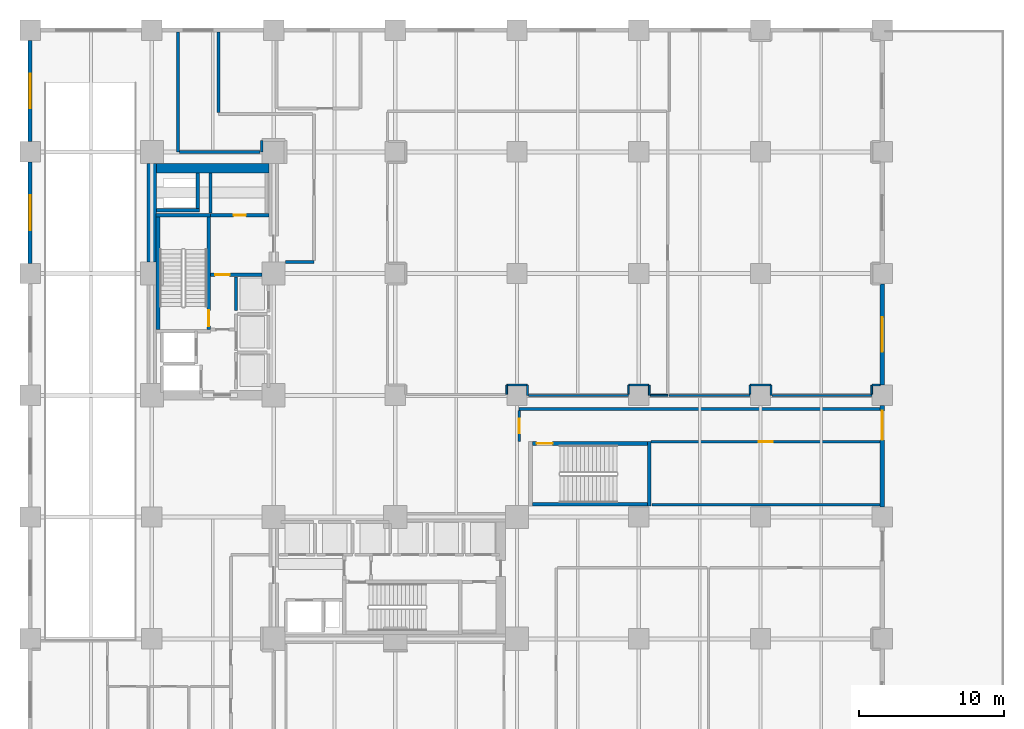
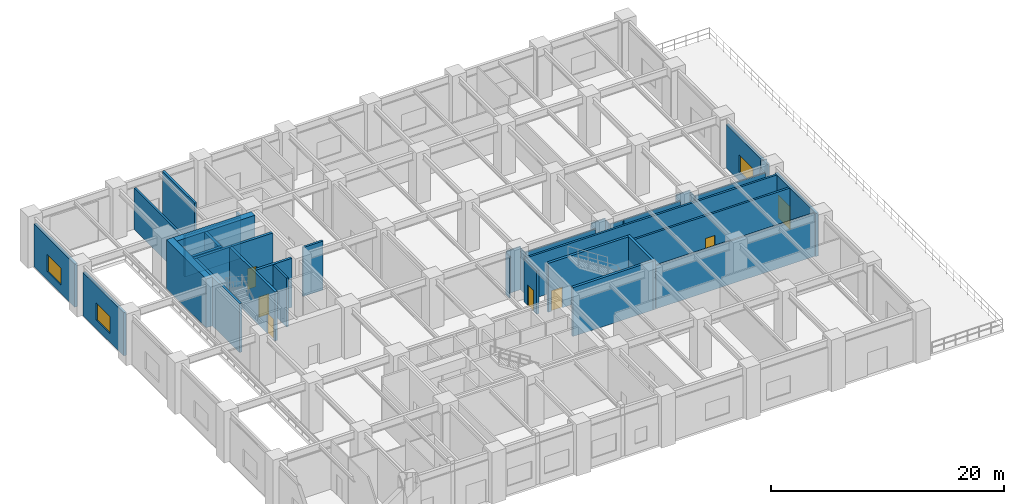
# One storey, part 6 of 13: 42 walls, 7 doors, 3 windows, 10 openings.
"""IFC4 building model written with IfcOpenShell, lengths in metres."""

from ifc_helpers import new_model, si_unit, direction, frame, frame_2d, origin, place, context, subcontext, project, spatial, rectangle, extrude, material, layer, layer_set, type_object, element, fill, save


model = new_model("IFC4")

# Units and contexts
model_context = context("Model", 3, precision=1e-05, world=origin(), true_north=direction((0.0, 1.0)))
body_context = subcontext(model_context, "Body", "Model", "MODEL_VIEW")
ifc_project = project(units=[si_unit("LENGTHUNIT", "METRE"), si_unit("AREAUNIT", "SQUARE_METRE"), si_unit("VOLUMEUNIT", "CUBIC_METRE"), si_unit("PLANEANGLEUNIT", "RADIAN"), si_unit("MASSUNIT", "GRAM", prefix="KILO")], contexts=[model_context])

# Site, building, storey
site_placement = place(None, origin())
site = spatial("IfcSite", under=ifc_project, at=site_placement, CompositionType="ELEMENT")
building_placement = place(site_placement, origin())
building = spatial("IfcBuilding", under=site, at=building_placement, Name="Nerrivon Quay Data Exchange", CompositionType="ELEMENT")
storey_placement = place(building_placement, origin())
storey = spatial("IfcBuildingStorey", under=building, at=storey_placement, Name="L00", CompositionType="ELEMENT", Elevation=0.0)

# Wall, opening, window
ifc_material_1 = material(Name="Precast concrete N50 (50 MPa)", Category="concrete")
ifc_layer_1 = layer(ifc_material_1, 0.280029296875)
ifc_layer_set_1 = layer_set([ifc_layer_1], Name="Precast concrete N50 (50 MPa)")
wall_type_1 = type_object("IfcWallType", Name="EW-PREC-280", PredefinedType="STANDARD", material=ifc_layer_set_1)
wall_1_placement = place(storey_placement, frame((0.0, 34.300048828125, 0.0), z_axis=(0.0, 0.0, 1.0), x_axis=(0.0, 1.0, 0.0)))
wall_1 = element("IfcWall", 1, at=wall_1_placement, inside=storey, type_object=wall_type_1, Name="L00 Podium Exterior Wall 5", PredefinedType="STANDARD", context=body_context, shape_type="SweptSolid", body=[
    extrude(rectangle(XDim=7.0, YDim=0.280029296875, at=frame_2d((3.5, 0.0))), origin(), (0.0, 0.0, 1.0), 4.512939453125),
])
opening_1_placement = place(wall_1_placement, frame((2.300048828125, 0.0, 0.89990234375)))
opening_1 = element("IfcOpeningElement", 2, at=opening_1_placement, cuts=wall_1, Name="Opening WN1", PredefinedType="OPENING", context=body_context, shape_type="SweptSolid", body=[
    extrude(rectangle(XDim=2.39990234375, YDim=1.800048828125, at=frame_2d((1.199951171875, 0.89990234375))), frame((0.0, 0.14990234375, 0.0), z_axis=(0.0, -1.0, 0.0), x_axis=(1.0, 0.0, 0.0)), (0.0, 0.0, 1.0), 0.300048828125),
])
ifc_material_2 = material(Name="Double-glazed low-E solar control glass", Category="glass")
window_type = type_object("IfcWindowType", Name="WIN-W1-2400x1800", PartitioningType="SINGLE_PANEL", PredefinedType="WINDOW", material=ifc_material_2)
window_1_placement = place(opening_1_placement, origin())
window_1 = element("IfcWindow", 3, at=window_1_placement, inside=storey, type_object=window_type, Name="L00 Podium Window 5", OverallHeight=1.800048828125, OverallWidth=2.39990234375, PartitioningType="SINGLE_PANEL", PredefinedType="WINDOW", context=body_context, shape_type="SweptSolid", body=[
    extrude(rectangle(XDim=2.39990234375, YDim=1.800048828125, at=frame_2d((1.199951171875, 0.89990234375))), frame((0.0, 0.030029296875, 0.0), z_axis=(0.0, -1.0, 0.0), x_axis=(1.0, 0.0, 0.0)), (0.0, 0.0, 1.0), 0.06005859375),
])
fill(opening_1, window_1)

wall_2_placement = place(storey_placement, frame((0.0, 42.699951171875, 0.0), z_axis=(0.0, 0.0, 1.0), x_axis=(0.0, 1.0, 0.0)))
wall_2 = element("IfcWall", 4, at=wall_2_placement, inside=storey, type_object=wall_type_1, Name="L00 Podium Exterior Wall 6", PredefinedType="STANDARD", context=body_context, shape_type="SweptSolid", body=[
    extrude(rectangle(XDim=7.0, YDim=0.280029296875, at=frame_2d((3.5, 0.0))), origin(), (0.0, 0.0, 1.0), 4.512939453125),
])
opening_2_placement = place(wall_2_placement, frame((2.300048828125, 0.0, 0.89990234375)))
opening_2 = element("IfcOpeningElement", 5, at=opening_2_placement, cuts=wall_2, Name="Opening WN1", PredefinedType="OPENING", context=body_context, shape_type="SweptSolid", body=[
    extrude(rectangle(XDim=2.39990234375, YDim=1.800048828125, at=frame_2d((1.199951171875, 0.89990234375))), frame((0.0, 0.14990234375, 0.0), z_axis=(0.0, -1.0, 0.0), x_axis=(1.0, 0.0, 0.0)), (0.0, 0.0, 1.0), 0.300048828125),
])
window_2_placement = place(opening_2_placement, origin())
window_2 = element("IfcWindow", 6, at=window_2_placement, inside=storey, type_object=window_type, Name="L00 Podium Window 6", OverallHeight=1.800048828125, OverallWidth=2.39990234375, PartitioningType="SINGLE_PANEL", PredefinedType="WINDOW", context=body_context, shape_type="SweptSolid", body=[
    extrude(rectangle(XDim=2.39990234375, YDim=1.800048828125, at=frame_2d((1.199951171875, 0.89990234375))), frame((0.0, 0.030029296875, 0.0), z_axis=(0.0, -1.0, 0.0), x_axis=(1.0, 0.0, 0.0)), (0.0, 0.0, 1.0), 0.06005859375),
])
fill(opening_2, window_2)

wall_3_placement = place(storey_placement, frame((58.800048828125, 32.89990234375, 0.0), z_axis=(0.0, 0.0, 1.0), x_axis=(0.0, -1.0, 0.0)))
wall_3 = element("IfcWall", 7, at=wall_3_placement, inside=storey, type_object=wall_type_1, Name="L00 Podium Exterior Wall 16", PredefinedType="STANDARD", context=body_context, shape_type="SweptSolid", body=[
    extrude(rectangle(XDim=7.0, YDim=0.280029296875, at=frame_2d((3.5, 0.0))), origin(), (0.0, 0.0, 1.0), 4.512939453125),
])
opening_3_placement = place(wall_3_placement, frame((2.300048828125, 0.0, 0.89990234375)))
opening_3 = element("IfcOpeningElement", 8, at=opening_3_placement, cuts=wall_3, Name="Opening WN1", PredefinedType="OPENING", context=body_context, shape_type="SweptSolid", body=[
    extrude(rectangle(XDim=2.39990234375, YDim=1.800048828125, at=frame_2d((1.199951171875, 0.89990234375))), frame((0.0, 0.14990234375, 0.0), z_axis=(0.0, -1.0, 0.0), x_axis=(1.0, 0.0, 0.0)), (0.0, 0.0, 1.0), 0.300048828125),
])
window_3_placement = place(opening_3_placement, origin())
window_3 = element("IfcWindow", 9, at=window_3_placement, inside=storey, type_object=window_type, Name="L00 Podium Window 16", OverallHeight=1.800048828125, OverallWidth=2.39990234375, PartitioningType="SINGLE_PANEL", PredefinedType="WINDOW", context=body_context, shape_type="SweptSolid", body=[
    extrude(rectangle(XDim=2.39990234375, YDim=1.800048828125, at=frame_2d((1.199951171875, 0.89990234375))), frame((0.0, 0.030029296875, 0.0), z_axis=(0.0, -1.0, 0.0), x_axis=(1.0, 0.0, 0.0)), (0.0, 0.0, 1.0), 0.06005859375),
])
fill(opening_3, window_3)

# Wall, opening, door
wall_4_placement = place(storey_placement, frame((58.800048828125, 24.5, 0.0), z_axis=(0.0, 0.0, 1.0), x_axis=(0.0, -1.0, 0.0)))
wall_4 = element("IfcWall", 10, at=wall_4_placement, inside=storey, type_object=wall_type_1, Name="L00 Podium Exterior Wall 17", PredefinedType="STANDARD", context=body_context, shape_type="SweptSolid", body=[
    extrude(rectangle(XDim=7.0, YDim=0.280029296875, at=frame_2d((3.5, 0.0))), origin(), (0.0, 0.0, 1.0), 4.512939453125),
])
opening_4_placement = place(wall_4_placement, frame((0.3798828125, 0.0, 0.0)))
opening_4 = element("IfcOpeningElement", 11, at=opening_4_placement, cuts=wall_4, Name="Opening ED1", PredefinedType="OPENING", context=body_context, shape_type="SweptSolid", body=[
    extrude(rectangle(XDim=2.0, YDim=2.39990234375, at=frame_2d((1.0, 1.199951171875))), frame((0.0, 0.14990234375, 0.0), z_axis=(0.0, -1.0, 0.0), x_axis=(1.0, 0.0, 0.0)), (0.0, 0.0, 1.0), 0.300048828125),
])
ifc_material_3 = material(Name="Anodised aluminium 6063-T6", Category="aluminium")
door_type_1 = type_object("IfcDoorType", Name="DR-EXT-2000x2400", OperationType="DOUBLE_DOOR_SINGLE_SWING", PredefinedType="DOOR", material=ifc_material_3)
door_1_placement = place(opening_4_placement, origin())
door_1 = element("IfcDoor", 12, at=door_1_placement, inside=storey, type_object=door_type_1, Name="Waterfront Promenade Fire-Isolated Exit Discharge Door", OperationType="DOUBLE_DOOR_SINGLE_SWING", OverallHeight=2.39990234375, OverallWidth=2.0, PredefinedType="DOOR", context=body_context, shape_type="SweptSolid", body=[
    extrude(rectangle(XDim=2.0, YDim=2.39990234375, at=frame_2d((1.0, 1.199951171875))), frame((0.0, 0.02490234375, 0.0), z_axis=(0.0, -1.0, 0.0), x_axis=(1.0, 0.0, 0.0)), (0.0, 0.0, 1.0), 0.050048828125),
])
fill(opening_4, door_1)

# Walls
ifc_material_4 = material(Name="Concrete N80 (80 MPa)", Category="concrete")
ifc_layer_2 = layer(ifc_material_4, 0.64990234375)
ifc_layer_set_2 = layer_set([ifc_layer_2], Name="Concrete N80 (80 MPa)")
wall_type_2 = type_object("IfcWallType", Name="WALL-CW-850", PredefinedType="SHEAR", material=ifc_layer_set_2)
wall_5_placement = place(storey_placement, frame((8.39990234375, 34.39990234375, 0.0), z_axis=(0.0, 0.0, 1.0), x_axis=(0.0, 1.0, 0.0)))
element("IfcWall", 13, at=wall_5_placement, inside=storey, type_object=wall_type_2, Name="L00 West Split-Core Shear Wall WCW-W2", PredefinedType="SHEAR", context=body_context, shape_type="SweptSolid", body=[
    extrude(rectangle(XDim=6.800048828125, YDim=0.64990234375, at=frame_2d((3.39990234375, 0.0))), origin(), (0.0, 0.0, 1.0), 5.125),
])
wall_6_placement = place(storey_placement, frame((8.72509765625, 40.875, 0.0), z_axis=(0.0, 0.0, 1.0), x_axis=(1.0, 0.0, 0.0)))
element("IfcWall", 14, at=wall_6_placement, inside=storey, type_object=wall_type_2, Name="L00 West Split-Core Shear Wall WCW-N1", PredefinedType="SHEAR", context=body_context, shape_type="SweptSolid", body=[
    extrude(rectangle(XDim=7.75, YDim=0.64990234375, at=frame_2d((3.875, 0.0))), origin(), (0.0, 0.0, 1.0), 5.125),
])
ifc_material_5 = material(Name="Gypsum plasterboard on cold-formed framing", Category="gypsum")
ifc_layer_3 = layer(ifc_material_5, 0.199951171875)
ifc_layer_set_3 = layer_set([ifc_layer_3], Name="Gypsum plasterboard on cold-formed framing")
wall_type_3 = type_object("IfcWallType", Name="WALL-FW-200", PredefinedType="PARTITIONING", material=ifc_layer_set_3)
wall_7_placement = place(storey_placement, frame((14.199951171875, 31.050048828125, 0.0), z_axis=(0.0, 0.0, 1.0), x_axis=(0.0, 1.0, 0.0)))
element("IfcWall", 15, at=wall_7_placement, inside=storey, type_object=wall_type_3, Name="L00 Lift Shaft Wall PL3 WEST", PredefinedType="PARTITIONING", context=body_context, shape_type="SweptSolid", body=[
    extrude(rectangle(XDim=2.300048828125, YDim=0.199951171875, at=frame_2d((1.14990234375, 0.0))), origin(), (0.0, 0.0, 1.0), 5.125),
])
wall_8_placement = place(storey_placement, frame((15.97998046875, 42.0, 0.0), z_axis=(0.0, 0.0, 1.0), x_axis=(0.0, 1.0, 0.0)))
element("IfcWall", 16, at=wall_8_placement, inside=storey, type_object=wall_type_3, Name="L00 Partition West Protected Exit Passageway", PredefinedType="PARTITIONING", context=body_context, shape_type="SweptSolid", body=[
    extrude(rectangle(XDim=0.800048828125, YDim=0.199951171875, at=frame_2d((0.39990234375, 0.0))), origin(), (0.0, 0.0, 1.0), 4.324951171875),
])
wall_9_placement = place(storey_placement, frame((17.6201171875, 34.39990234375, 0.0), z_axis=(0.0, 0.0, 1.0), x_axis=(1.0, 0.0, 0.0)))
element("IfcWall", 17, at=wall_9_placement, inside=storey, type_object=wall_type_3, Name="L00 Partition West Protected Exit Passageway", PredefinedType="PARTITIONING", context=body_context, shape_type="SweptSolid", body=[
    extrude(rectangle(XDim=1.97998046875, YDim=0.199951171875, at=frame_2d((0.989990234375, 0.0))), origin(), (0.0, 0.0, 1.0), 5.125),
])
wall_10_placement = place(storey_placement, frame((13.0, 44.7041015625, 0.0), z_axis=(0.0, 0.0, 1.0), x_axis=(0.0, 1.0, 0.0)))
element("IfcWall", 18, at=wall_10_placement, inside=storey, type_object=wall_type_3, Name="L00 Partition West Protected Exit Passageway", PredefinedType="PARTITIONING", context=body_context, shape_type="SweptSolid", body=[
    extrude(rectangle(XDim=5.552001953125, YDim=0.199951171875, at=frame_2d((2.77587890625, 0.0))), origin(), (0.0, 0.0, 1.0), 5.125),
])
wall_11_placement = place(storey_placement, frame((10.199951171875, 50.256103515625, 0.0), z_axis=(0.0, 0.0, 1.0), x_axis=(0.0, -1.0, 0.0)))
element("IfcWall", 19, at=wall_11_placement, inside=storey, type_object=wall_type_3, Name="L00 Partition West Protected Exit Passageway", PredefinedType="PARTITIONING", context=body_context, shape_type="SweptSolid", body=[
    extrude(rectangle(XDim=8.256103515625, YDim=0.199951171875, at=frame_2d((4.1279296875, 0.0))), origin(), (0.0, 0.0, 1.0), 4.324951171875),
])
wall_12_placement = place(storey_placement, frame((10.303955078125, 42.0, 0.0), z_axis=(0.0, 0.0, 1.0), x_axis=(1.0, 0.0, 0.0)))
element("IfcWall", 20, at=wall_12_placement, inside=storey, type_object=wall_type_3, Name="L00 Partition West Protected Exit Passageway", PredefinedType="PARTITIONING", context=body_context, shape_type="SweptSolid", body=[
    extrude(rectangle(XDim=5.572021484375, YDim=0.199951171875, at=frame_2d((2.7861328125, 0.0))), origin(), (0.0, 0.0, 1.0), 4.324951171875),
])
wall_13_placement = place(storey_placement, frame((58.656005859375, 24.25, 0.0), z_axis=(0.0, 0.0, 1.0), x_axis=(-1.0, 0.0, 0.0)))
element("IfcWall", 21, at=wall_13_placement, inside=storey, type_object=wall_type_3, Name="L00 Partition Podium Protected Exit Passageway", PredefinedType="PARTITIONING", context=body_context, shape_type="SweptSolid", body=[
    extrude(rectangle(XDim=24.906005859375, YDim=0.199951171875, at=frame_2d((12.453125, 0.0))), origin(), (0.0, 0.0, 1.0), 4.512939453125),
])

# Wall, opening, door
wall_14_placement = place(storey_placement, frame((33.75, 24.14599609375, 0.0), z_axis=(0.0, 0.0, 1.0), x_axis=(0.0, -1.0, 0.0)))
wall_14 = element("IfcWall", 22, at=wall_14_placement, inside=storey, type_object=wall_type_3, Name="L00 Partition Podium Protected Exit Passageway", PredefinedType="PARTITIONING", context=body_context, shape_type="SweptSolid", body=[
    extrude(rectangle(XDim=2.14599609375, YDim=0.199951171875, at=frame_2d((1.072998046875, 0.0))), origin(), (0.0, 0.0, 1.0), 4.512939453125),
])
opening_5_placement = place(wall_14_placement, frame((0.572998046875, 0.0, 0.0)))
opening_5 = element("IfcOpeningElement", 23, at=opening_5_placement, cuts=wall_14, Name="Opening FD-60", PredefinedType="OPENING", context=body_context, shape_type="SweptSolid", body=[
    extrude(rectangle(XDim=1.0, YDim=2.14990234375, at=frame_2d((0.5, 1.074951171875))), frame((0.0, 0.10986328125, 0.0), z_axis=(0.0, -1.0, 0.0), x_axis=(1.0, 0.0, 0.0)), (0.0, 0.0, 1.0), 0.219970703125),
])
ifc_material_6 = material(Name="Engineered hardwood timber", Category="wood")
door_type_2 = type_object("IfcDoorType", Name="DR-FD60-1000", OperationType="NOTDEFINED", PredefinedType="DOOR", material=ifc_material_6)
door_2_placement = place(opening_5_placement, origin())
door_2 = element("IfcDoor", 24, at=door_2_placement, inside=storey, type_object=door_type_2, Name="L00 Door Podium Protected Exit Passageway", OperationType="SINGLE_SWING_RIGHT", OverallHeight=2.14990234375, OverallWidth=1.0, PredefinedType="DOOR", context=body_context, shape_type="SweptSolid", body=[
    extrude(rectangle(XDim=1.0, YDim=2.14990234375, at=frame_2d((0.5, 1.074951171875))), frame((0.0, 0.02490234375, 0.0), z_axis=(0.0, -1.0, 0.0), x_axis=(1.0, 0.0, 0.0)), (0.0, 0.0, 1.0), 0.050048828125),
])
fill(opening_5, door_2)

wall_15_placement = place(storey_placement, frame((42.85400390625, 22.0, 0.0), z_axis=(0.0, 0.0, 1.0), x_axis=(1.0, 0.0, 0.0)))
wall_15 = element("IfcWall", 25, at=wall_15_placement, inside=storey, type_object=wall_type_3, Name="L00 Partition Podium Protected Exit Passageway", PredefinedType="PARTITIONING", context=body_context, shape_type="SweptSolid", body=[
    extrude(rectangle(XDim=15.802001953125, YDim=0.199951171875, at=frame_2d((7.90087890625, 0.0))), origin(), (0.0, 0.0, 1.0), 4.512939453125),
])
opening_6_placement = place(wall_15_placement, frame((7.426025390625, 0.0, 0.0)))
opening_6 = element("IfcOpeningElement", 26, at=opening_6_placement, cuts=wall_15, Name="Opening D-01", PredefinedType="OPENING", context=body_context, shape_type="SweptSolid", body=[
    extrude(rectangle(XDim=0.949951171875, YDim=2.14990234375, at=frame_2d((0.47509765625, 1.074951171875))), frame((0.0, 0.10986328125, 0.0), z_axis=(0.0, -1.0, 0.0), x_axis=(1.0, 0.0, 0.0)), (0.0, 0.0, 1.0), 0.219970703125),
])
door_type_3 = type_object("IfcDoorType", Name="DR-INT-950", OperationType="NOTDEFINED", PredefinedType="DOOR", material=ifc_material_6)
door_3_placement = place(opening_6_placement, origin())
door_3 = element("IfcDoor", 27, at=door_3_placement, inside=storey, type_object=door_type_3, Name="L00 Door Optical Peering Suite", OperationType="SINGLE_SWING_RIGHT", OverallHeight=2.14990234375, OverallWidth=0.949951171875, PredefinedType="DOOR", context=body_context, shape_type="SweptSolid", body=[
    extrude(rectangle(XDim=0.949951171875, YDim=2.14990234375, at=frame_2d((0.47509765625, 1.074951171875))), frame((0.0, 0.02490234375, 0.0), z_axis=(0.0, -1.0, 0.0), x_axis=(1.0, 0.0, 0.0)), (0.0, 0.0, 1.0), 0.050048828125),
])
fill(opening_6, door_3)

# Walls
wall_16_placement = place(storey_placement, frame((12.449951171875, 40.5458984375, 0.0), z_axis=(0.0, 0.0, 1.0), x_axis=(0.0, -1.0, 0.0)))
element("IfcWall", 28, at=wall_16_placement, inside=storey, type_object=wall_type_3, Name="L00 Partition Cleaners Store", PredefinedType="PARTITIONING", context=body_context, shape_type="SweptSolid", body=[
    extrude(rectangle(XDim=2.765869140625, YDim=0.199951171875, at=frame_2d((1.3828125, 0.0))), origin(), (0.0, 0.0, 1.0), 4.02490234375),
])
ifc_layer_4 = layer(ifc_material_5, 0.1201171875)
ifc_layer_set_4 = layer_set([ifc_layer_4], Name="Gypsum plasterboard on cold-formed framing")
wall_type_4 = type_object("IfcWallType", Name="WALL-PT-120", PredefinedType="PARTITIONING", material=ifc_layer_set_4)
wall_17_placement = place(storey_placement, frame((32.8798828125, 25.260009765625, 0.0), z_axis=(0.0, 0.0, 1.0), x_axis=(0.0, 1.0, 0.0)))
element("IfcWall", 29, at=wall_17_placement, inside=storey, type_object=wall_type_4, Name="L00 Partition Carrier Reception Office", PredefinedType="PARTITIONING", context=body_context, shape_type="SweptSolid", body=[
    extrude(rectangle(XDim=0.639892578125, YDim=0.1201171875, at=frame_2d((0.31982421875, 0.0))), origin(), (0.0, 0.0, 1.0), 4.324951171875),
])
wall_18_placement = place(storey_placement, frame((32.89990234375, 25.919921875, 0.0), z_axis=(0.0, 0.0, 1.0), x_axis=(1.0, 0.0, 0.0)))
element("IfcWall", 30, at=wall_18_placement, inside=storey, type_object=wall_type_4, Name="L00 Partition Carrier Reception Office", PredefinedType="PARTITIONING", context=body_context, shape_type="SweptSolid", body=[
    extrude(rectangle(XDim=1.400146484375, YDim=0.1201171875, at=frame_2d((0.7001953125, 0.0))), origin(), (0.0, 0.0, 1.0), 4.512939453125),
])
wall_19_placement = place(storey_placement, frame((34.320068359375, 25.89990234375, 0.0), z_axis=(0.0, 0.0, 1.0), x_axis=(0.0, -1.0, 0.0)))
element("IfcWall", 31, at=wall_19_placement, inside=storey, type_object=wall_type_4, Name="L00 Partition Carrier Reception Office", PredefinedType="PARTITIONING", context=body_context, shape_type="SweptSolid", body=[
    extrude(rectangle(XDim=0.699951171875, YDim=0.1201171875, at=frame_2d((0.35009765625, 0.0))), origin(), (0.0, 0.0, 1.0), 4.324951171875),
])
wall_20_placement = place(storey_placement, frame((41.280029296875, 25.279052734375, 0.0), z_axis=(0.0, 0.0, 1.0), x_axis=(0.0, 1.0, 0.0)))
element("IfcWall", 32, at=wall_20_placement, inside=storey, type_object=wall_type_4, Name="L00 Partition Carrier Reception Office", PredefinedType="PARTITIONING", context=body_context, shape_type="SweptSolid", body=[
    extrude(rectangle(XDim=0.620849609375, YDim=0.1201171875, at=frame_2d((0.310546875, 0.0))), origin(), (0.0, 0.0, 1.0), 4.324951171875),
])
wall_21_placement = place(storey_placement, frame((41.300048828125, 25.919921875, 0.0), z_axis=(0.0, 0.0, 1.0), x_axis=(1.0, 0.0, 0.0)))
element("IfcWall", 33, at=wall_21_placement, inside=storey, type_object=wall_type_4, Name="L00 Partition Carrier Reception Office", PredefinedType="PARTITIONING", context=body_context, shape_type="SweptSolid", body=[
    extrude(rectangle(XDim=1.39990234375, YDim=0.1201171875, at=frame_2d((0.699951171875, 0.0))), origin(), (0.0, 0.0, 1.0), 4.512939453125),
])
wall_22_placement = place(storey_placement, frame((42.719970703125, 25.89990234375, 0.0), z_axis=(0.0, 0.0, 1.0), x_axis=(0.0, -1.0, 0.0)))
element("IfcWall", 34, at=wall_22_placement, inside=storey, type_object=wall_type_4, Name="L00 Partition Carrier Reception Office", PredefinedType="PARTITIONING", context=body_context, shape_type="SweptSolid", body=[
    extrude(rectangle(XDim=0.699951171875, YDim=0.1201171875, at=frame_2d((0.35009765625, 0.0))), origin(), (0.0, 0.0, 1.0), 4.324951171875),
])
wall_23_placement = place(storey_placement, frame((42.783935546875, 25.199951171875, 0.0), z_axis=(0.0, 0.0, 1.0), x_axis=(1.0, 0.0, 0.0)))
element("IfcWall", 35, at=wall_23_placement, inside=storey, type_object=wall_type_4, Name="L00 Partition Carrier Reception Office", PredefinedType="PARTITIONING", context=body_context, shape_type="SweptSolid", body=[
    extrude(rectangle(XDim=1.216064453125, YDim=0.1201171875, at=frame_2d((0.60791015625, 0.0))), origin(), (0.0, 0.0, 1.0), 4.324951171875),
])
wall_24_placement = place(storey_placement, frame((49.679931640625, 25.279052734375, 0.0), z_axis=(0.0, 0.0, 1.0), x_axis=(0.0, 1.0, 0.0)))
element("IfcWall", 36, at=wall_24_placement, inside=storey, type_object=wall_type_4, Name="L00 Partition Waterfront Cafe", PredefinedType="PARTITIONING", context=body_context, shape_type="SweptSolid", body=[
    extrude(rectangle(XDim=0.620849609375, YDim=0.1201171875, at=frame_2d((0.310546875, 0.0))), origin(), (0.0, 0.0, 1.0), 4.324951171875),
])
wall_25_placement = place(storey_placement, frame((49.699951171875, 25.919921875, 0.0), z_axis=(0.0, 0.0, 1.0), x_axis=(1.0, 0.0, 0.0)))
element("IfcWall", 37, at=wall_25_placement, inside=storey, type_object=wall_type_4, Name="L00 Partition Waterfront Cafe", PredefinedType="PARTITIONING", context=body_context, shape_type="SweptSolid", body=[
    extrude(rectangle(XDim=1.400146484375, YDim=0.1201171875, at=frame_2d((0.7001953125, 0.0))), origin(), (0.0, 0.0, 1.0), 4.512939453125),
])
wall_26_placement = place(storey_placement, frame((51.1201171875, 25.89990234375, 0.0), z_axis=(0.0, 0.0, 1.0), x_axis=(0.0, -1.0, 0.0)))
element("IfcWall", 38, at=wall_26_placement, inside=storey, type_object=wall_type_4, Name="L00 Partition Waterfront Cafe", PredefinedType="PARTITIONING", context=body_context, shape_type="SweptSolid", body=[
    extrude(rectangle(XDim=0.699951171875, YDim=0.1201171875, at=frame_2d((0.35009765625, 0.0))), origin(), (0.0, 0.0, 1.0), 4.324951171875),
])
wall_27_placement = place(storey_placement, frame((58.080078125, 25.279052734375, 0.0), z_axis=(0.0, 0.0, 1.0), x_axis=(0.0, 1.0, 0.0)))
element("IfcWall", 39, at=wall_27_placement, inside=storey, type_object=wall_type_4, Name="L00 Partition Waterfront Cafe", PredefinedType="PARTITIONING", context=body_context, shape_type="SweptSolid", body=[
    extrude(rectangle(XDim=0.620849609375, YDim=0.1201171875, at=frame_2d((0.310546875, 0.0))), origin(), (0.0, 0.0, 1.0), 4.324951171875),
])
wall_28_placement = place(storey_placement, frame((58.10009765625, 25.919921875, 0.0), z_axis=(0.0, 0.0, 1.0), x_axis=(1.0, 0.0, 0.0)))
element("IfcWall", 40, at=wall_28_placement, inside=storey, type_object=wall_type_4, Name="L00 Partition Waterfront Cafe", PredefinedType="PARTITIONING", context=body_context, shape_type="SweptSolid", body=[
    extrude(rectangle(XDim=0.555908203125, YDim=0.1201171875, at=frame_2d((0.27783203125, 0.0))), origin(), (0.0, 0.0, 1.0), 5.125),
])
ifc_layer_5 = layer(ifc_material_5, 0.14990234375)
ifc_layer_set_5 = layer_set([ifc_layer_5], Name="Gypsum plasterboard on cold-formed framing")
wall_type_5 = type_object("IfcWallType", Name="WALL-PT-150", PredefinedType="PARTITIONING", material=ifc_layer_set_5)
wall_29_placement = place(storey_placement, frame((34.384033203125, 25.199951171875, 0.0), z_axis=(0.0, 0.0, 1.0), x_axis=(1.0, 0.0, 0.0)))
element("IfcWall", 41, at=wall_29_placement, inside=storey, type_object=wall_type_5, Name="L00 Partition Carrier Reception Office", PredefinedType="PARTITIONING", context=body_context, shape_type="SweptSolid", body=[
    extrude(rectangle(XDim=6.89599609375, YDim=0.14990234375, at=frame_2d((3.447998046875, 0.0))), origin(), (0.0, 0.0, 1.0), 4.324951171875),
])
wall_30_placement = place(storey_placement, frame((44.10009765625, 25.199951171875, 0.0), z_axis=(0.0, 0.0, 1.0), x_axis=(1.0, 0.0, 0.0)))
element("IfcWall", 42, at=wall_30_placement, inside=storey, type_object=wall_type_5, Name="L00 Partition Waterfront Cafe", PredefinedType="PARTITIONING", context=body_context, shape_type="SweptSolid", body=[
    extrude(rectangle(XDim=5.579833984375, YDim=0.14990234375, at=frame_2d((2.7900390625, 0.0))), origin(), (0.0, 0.0, 1.0), 4.324951171875),
])
wall_31_placement = place(storey_placement, frame((51.18408203125, 25.199951171875, 0.0), z_axis=(0.0, 0.0, 1.0), x_axis=(1.0, 0.0, 0.0)))
element("IfcWall", 43, at=wall_31_placement, inside=storey, type_object=wall_type_5, Name="L00 Partition Waterfront Cafe", PredefinedType="PARTITIONING", context=body_context, shape_type="SweptSolid", body=[
    extrude(rectangle(XDim=6.89599609375, YDim=0.14990234375, at=frame_2d((3.447998046875, 0.0))), origin(), (0.0, 0.0, 1.0), 4.324951171875),
])
wall_32_placement = place(storey_placement, frame((42.89990234375, 17.64990234375, 0.0), z_axis=(0.0, 0.0, 1.0), x_axis=(1.0, 0.0, 0.0)))
element("IfcWall", 44, at=wall_32_placement, inside=storey, type_object=wall_type_5, Name="L00 Partition Optical Peering Suite", PredefinedType="PARTITIONING", context=body_context, shape_type="SweptSolid", body=[
    extrude(rectangle(XDim=15.756103515625, YDim=0.14990234375, at=frame_2d((7.8779296875, 0.0))), origin(), (0.0, 0.0, 1.0), 4.512939453125),
])
ifc_material_7 = material(Name="Concrete N50 (50 MPa)", Category="concrete")
ifc_layer_6 = layer(ifc_material_7, 0.25)
ifc_layer_set_6 = layer_set([ifc_layer_6], Name="Concrete N50 (50 MPa)")
wall_type_6 = type_object("IfcWallType", Name="WALL-SW-250", PredefinedType="SHEAR", material=ifc_layer_set_6)
wall_33_placement = place(storey_placement, frame((12.449951171875, 37.625, 0.0), z_axis=(0.0, 0.0, 1.0), x_axis=(-1.0, 0.0, 0.0)))
element("IfcWall", 45, at=wall_33_placement, inside=storey, type_object=wall_type_6, Name="L00 ST01 Structural Stair Core Wall FAR", PredefinedType="SHEAR", context=body_context, shape_type="SweptSolid", body=[
    extrude(rectangle(XDim=3.75, YDim=0.25, at=frame_2d((1.875, 0.0))), origin(), (0.0, 0.0, 1.0), 5.125),
])

# Wall, opening, door
wall_34_placement = place(storey_placement, frame((12.324951171875, 29.75, 0.0), z_axis=(0.0, 0.0, 1.0), x_axis=(0.0, 1.0, 0.0)))
wall_34 = element("IfcWall", 46, at=wall_34_placement, inside=storey, type_object=wall_type_6, Name="L00 ST01 Structural Stair Core Wall LEFT", PredefinedType="SHEAR", context=body_context, shape_type="SweptSolid", body=[
    extrude(rectangle(XDim=7.75, YDim=0.25, at=frame_2d((3.875, 0.0))), origin(), (0.0, 0.0, 1.0), 5.125),
])
opening_7_placement = place(wall_34_placement, frame((0.219970703125, 0.0, 0.0)))
opening_7 = element("IfcOpeningElement", 47, at=opening_7_placement, cuts=wall_34, Name="Opening FD-120", PredefinedType="OPENING", context=body_context, shape_type="SweptSolid", body=[
    extrude(rectangle(XDim=1.10009765625, YDim=2.14990234375, at=frame_2d((0.550048828125, 1.074951171875))), frame((0.0, 0.135009765625, 0.0), z_axis=(0.0, -1.0, 0.0), x_axis=(1.0, 0.0, 0.0)), (0.0, 0.0, 1.0), 0.27001953125),
])
ifc_material_8 = material(Name="Powder-coated galvanized steel sheet", Category="steel")
door_type_4 = type_object("IfcDoorType", Name="DR-FD120-1100", OperationType="NOTDEFINED", PredefinedType="DOOR", material=ifc_material_8)
door_4_placement = place(opening_7_placement, origin())
door_4 = element("IfcDoor", 48, at=door_4_placement, inside=storey, type_object=door_type_4, Name="L00 Protected Stair Door ST01", OperationType="SINGLE_SWING_LEFT", OverallHeight=2.14990234375, OverallWidth=1.10009765625, PredefinedType="DOOR", context=body_context, shape_type="SweptSolid", body=[
    extrude(rectangle(XDim=1.10009765625, YDim=2.14990234375, at=frame_2d((0.550048828125, 1.074951171875))), frame((0.0, 0.02490234375, 0.0), z_axis=(0.0, -1.0, 0.0), x_axis=(1.0, 0.0, 0.0)), (0.0, 0.0, 1.0), 0.050048828125),
])
fill(opening_7, door_4)

# Walls
wall_35_placement = place(storey_placement, frame((8.824951171875, 29.75, 0.0), z_axis=(0.0, 0.0, 1.0), x_axis=(0.0, 1.0, 0.0)))
element("IfcWall", 49, at=wall_35_placement, inside=storey, type_object=wall_type_6, Name="L00 ST01 Structural Stair Core Wall RIGHT", PredefinedType="SHEAR", context=body_context, shape_type="SweptSolid", body=[
    extrude(rectangle(XDim=7.75, YDim=0.25, at=frame_2d((3.875, 0.0))), origin(), (0.0, 0.0, 1.0), 5.125),
])
wall_36_placement = place(storey_placement, frame((42.72509765625, 17.550048828125, 0.0), z_axis=(0.0, 0.0, 1.0), x_axis=(0.0, 1.0, 0.0)))
element("IfcWall", 50, at=wall_36_placement, inside=storey, type_object=wall_type_6, Name="L00 ST03 Structural Stair Core Wall FAR", PredefinedType="SHEAR", context=body_context, shape_type="SweptSolid", body=[
    extrude(rectangle(XDim=4.449951171875, YDim=0.25, at=frame_2d((2.22509765625, 0.0))), origin(), (0.0, 0.0, 1.0), 5.125),
])
wall_37_placement = place(storey_placement, frame((34.64990234375, 17.675048828125, 0.0), z_axis=(0.0, 0.0, 1.0), x_axis=(1.0, 0.0, 0.0)))
element("IfcWall", 51, at=wall_37_placement, inside=storey, type_object=wall_type_6, Name="L00 ST03 Structural Stair Core Wall LEFT", PredefinedType="SHEAR", context=body_context, shape_type="SweptSolid", body=[
    extrude(rectangle(XDim=7.9501953125, YDim=0.25, at=frame_2d((3.97509765625, 0.0))), origin(), (0.0, 0.0, 1.0), 5.125),
])

# Wall, opening, door
wall_38_placement = place(storey_placement, frame((34.64990234375, 21.875, 0.0), z_axis=(0.0, 0.0, 1.0), x_axis=(1.0, 0.0, 0.0)))
wall_38 = element("IfcWall", 52, at=wall_38_placement, inside=storey, type_object=wall_type_6, Name="L00 ST03 Structural Stair Core Wall RIGHT", PredefinedType="SHEAR", context=body_context, shape_type="SweptSolid", body=[
    extrude(rectangle(XDim=7.9501953125, YDim=0.25, at=frame_2d((3.97509765625, 0.0))), origin(), (0.0, 0.0, 1.0), 5.125),
])
opening_8_placement = place(wall_38_placement, frame((0.300048828125, 0.0, 0.0)))
opening_8 = element("IfcOpeningElement", 53, at=opening_8_placement, cuts=wall_38, Name="Opening FD-120", PredefinedType="OPENING", context=body_context, shape_type="SweptSolid", body=[
    extrude(rectangle(XDim=1.10009765625, YDim=2.14990234375, at=frame_2d((0.550048828125, 1.074951171875))), frame((0.0, 0.135009765625, 0.0), z_axis=(0.0, -1.0, 0.0), x_axis=(1.0, 0.0, 0.0)), (0.0, 0.0, 1.0), 0.27001953125),
])
door_5_placement = place(opening_8_placement, origin())
door_5 = element("IfcDoor", 54, at=door_5_placement, inside=storey, type_object=door_type_4, Name="L00 Protected Stair Door ST03", OperationType="SINGLE_SWING_LEFT", OverallHeight=2.14990234375, OverallWidth=1.10009765625, PredefinedType="DOOR", context=body_context, shape_type="SweptSolid", body=[
    extrude(rectangle(XDim=1.10009765625, YDim=2.14990234375, at=frame_2d((0.550048828125, 1.074951171875))), frame((0.0, 0.02490234375, 0.0), z_axis=(0.0, -1.0, 0.0), x_axis=(1.0, 0.0, 0.0)), (0.0, 0.0, 1.0), 0.050048828125),
])
fill(opening_8, door_5)

# Walls
wall_39_placement = place(storey_placement, frame((8.72509765625, 37.97509765625, 0.0), z_axis=(0.0, 0.0, 1.0), x_axis=(1.0, 0.0, 0.0)))
element("IfcWall", 55, at=wall_39_placement, inside=storey, type_object=wall_type_6, Name="L00 West Core MEP Riser Shaft Wall S", PredefinedType="SHEAR", context=body_context, shape_type="SweptSolid", body=[
    extrude(rectangle(XDim=2.974853515625, YDim=0.25, at=frame_2d((1.4873046875, 0.0))), origin(), (0.0, 0.0, 1.0), 5.125),
])
wall_40_placement = place(storey_placement, frame((11.574951171875, 38.10009765625, 0.0), z_axis=(0.0, 0.0, 1.0), x_axis=(0.0, 1.0, 0.0)))
element("IfcWall", 56, at=wall_40_placement, inside=storey, type_object=wall_type_6, Name="L00 West Core MEP Riser Shaft Wall E", PredefinedType="SHEAR", context=body_context, shape_type="SweptSolid", body=[
    extrude(rectangle(XDim=2.449951171875, YDim=0.25, at=frame_2d((1.22509765625, 0.0))), origin(), (0.0, 0.0, 1.0), 5.125),
])

# Wall, opening, door
wall_41_placement = place(storey_placement, frame((12.449951171875, 33.52001953125, 0.0), z_axis=(0.0, 0.0, 1.0), x_axis=(1.0, 0.0, 0.0)))
wall_41 = element("IfcWall", 57, at=wall_41_placement, inside=storey, type_object=wall_type_6, Name="L00 West Lobby Smoke-Stop Wall", PredefinedType="SHEAR", context=body_context, shape_type="SweptSolid", body=[
    extrude(rectangle(XDim=3.550048828125, YDim=0.25, at=frame_2d((1.77490234375, 0.0))), origin(), (0.0, 0.0, 1.0), 5.125),
])
opening_9_placement = place(wall_41_placement, frame((0.320068359375, 0.0, 0.0)))
opening_9 = element("IfcOpeningElement", 58, at=opening_9_placement, cuts=wall_41, Name="Opening FD-60", PredefinedType="OPENING", context=body_context, shape_type="SweptSolid", body=[
    extrude(rectangle(XDim=1.0, YDim=2.14990234375, at=frame_2d((0.5, 1.074951171875))), frame((0.0, 0.135009765625, 0.0), z_axis=(0.0, -1.0, 0.0), x_axis=(1.0, 0.0, 0.0)), (0.0, 0.0, 1.0), 0.27001953125),
])
door_6_placement = place(opening_9_placement, origin())
door_6 = element("IfcDoor", 59, at=door_6_placement, inside=storey, type_object=door_type_2, Name="L00 West Firefighting Lobby Fire Door", OperationType="SINGLE_SWING_RIGHT", OverallHeight=2.14990234375, OverallWidth=1.0, PredefinedType="DOOR", context=body_context, shape_type="SweptSolid", body=[
    extrude(rectangle(XDim=1.0, YDim=2.14990234375, at=frame_2d((0.5, 1.074951171875))), frame((0.0, 0.02490234375, 0.0), z_axis=(0.0, -1.0, 0.0), x_axis=(1.0, 0.0, 0.0)), (0.0, 0.0, 1.0), 0.050048828125),
])
fill(opening_9, door_6)

wall_42_placement = place(storey_placement, frame((12.449951171875, 37.625, 0.0), z_axis=(0.0, 0.0, 1.0), x_axis=(1.0, 0.0, 0.0)))
wall_42 = element("IfcWall", 60, at=wall_42_placement, inside=storey, type_object=wall_type_6, Name="L00 West Firefighting Lobby Wall", PredefinedType="SHEAR", context=body_context, shape_type="SweptSolid", body=[
    extrude(rectangle(XDim=4.025146484375, YDim=0.25, at=frame_2d((2.0126953125, 0.0))), origin(), (0.0, 0.0, 1.0), 5.125),
])
opening_10_placement = place(wall_42_placement, frame((1.58740234375, 0.0, 0.0)))
opening_10 = element("IfcOpeningElement", 61, at=opening_10_placement, cuts=wall_42, Name="Opening FD-60S", PredefinedType="OPENING", context=body_context, shape_type="SweptSolid", body=[
    extrude(rectangle(XDim=0.85009765625, YDim=2.14990234375, at=frame_2d((0.425048828125, 1.074951171875))), frame((0.0, 0.135009765625, 0.0), z_axis=(0.0, -1.0, 0.0), x_axis=(1.0, 0.0, 0.0)), (0.0, 0.0, 1.0), 0.27001953125),
])
door_type_5 = type_object("IfcDoorType", Name="DR-FD60-850", OperationType="NOTDEFINED", PredefinedType="DOOR", material=ifc_material_6)
door_7_placement = place(opening_10_placement, origin())
door_7 = element("IfcDoor", 62, at=door_7_placement, inside=storey, type_object=door_type_5, Name="L00 Door Cleaners Store", OperationType="SINGLE_SWING_LEFT", OverallHeight=2.14990234375, OverallWidth=0.85009765625, PredefinedType="DOOR", context=body_context, shape_type="SweptSolid", body=[
    extrude(rectangle(XDim=0.85009765625, YDim=2.14990234375, at=frame_2d((0.425048828125, 1.074951171875))), frame((0.0, 0.02490234375, 0.0), z_axis=(0.0, -1.0, 0.0), x_axis=(1.0, 0.0, 0.0)), (0.0, 0.0, 1.0), 0.050048828125),
])
fill(opening_10, door_7)

save(model, "model.ifc")
